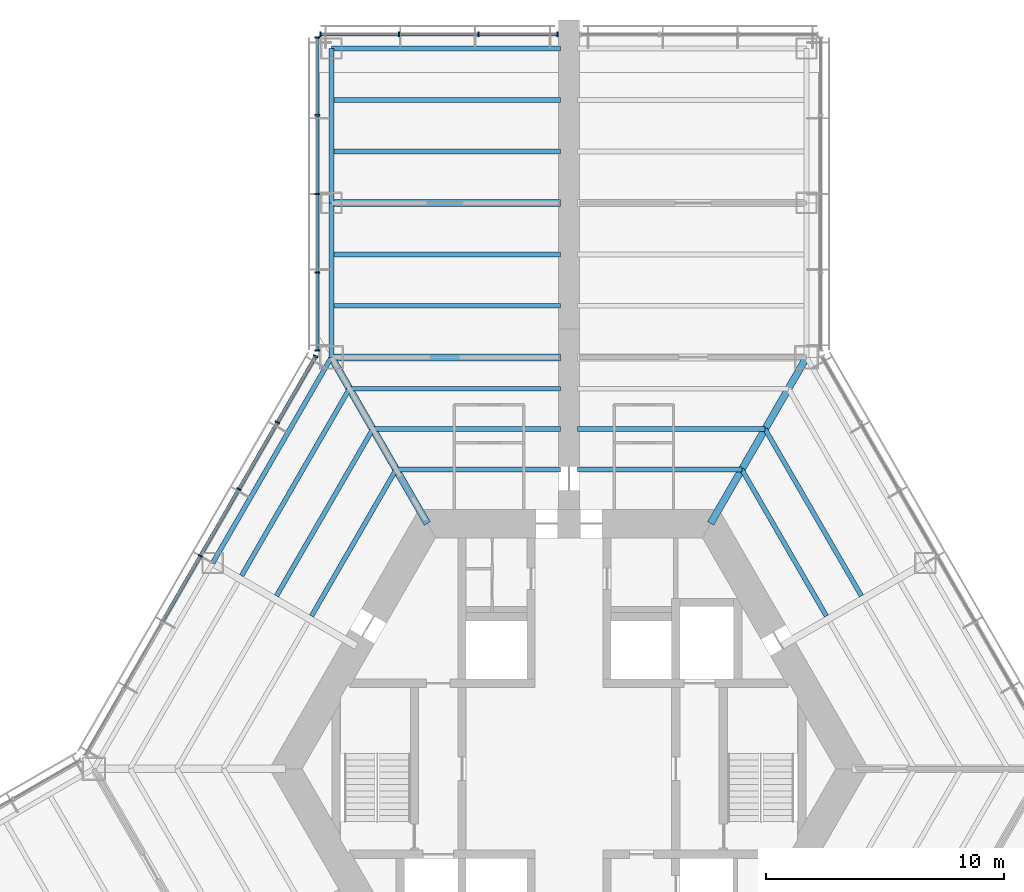
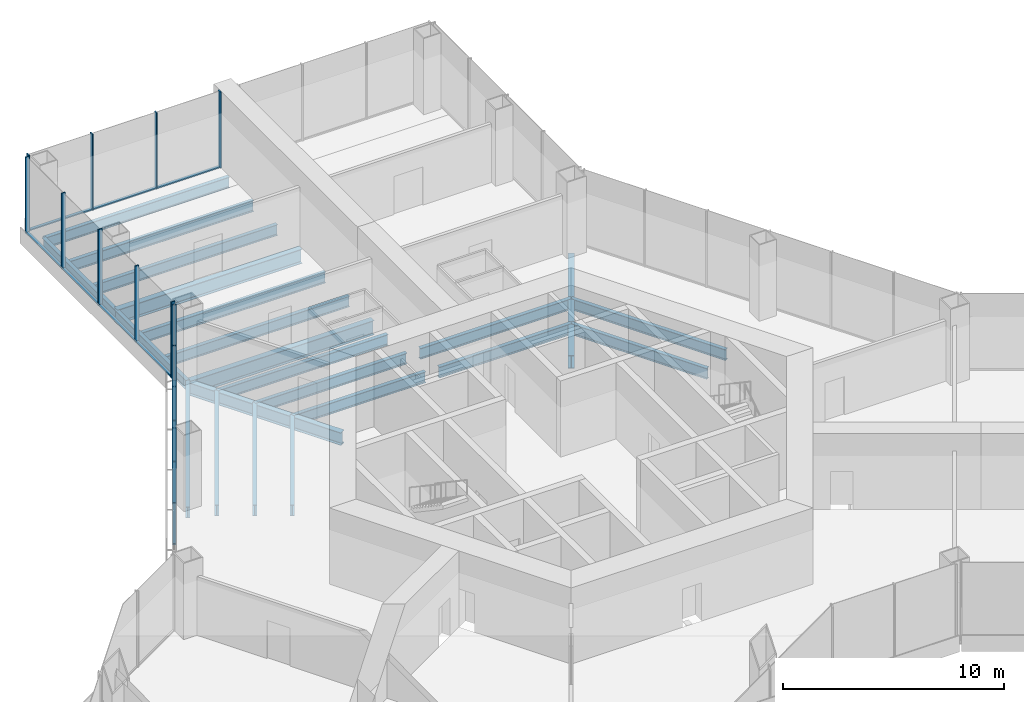
# One storey, part 6 of 15: 24 members, 22 beams, 3 elements without a shape of their own.
"""IFC4 building model written with IfcOpenShell, lengths in metres."""

from ifc_helpers import new_model, si_unit, direction, frame, origin, origin_2d, place, context, subcontext, project, spatial, rectangle, i_section, extrude, material, material_profile, profile_set, type_object, element, aggregate, save


model = new_model("IFC4")

# Units and contexts
model_context = context("Model", 3, precision=1e-05, world=origin(), true_north=direction((0.0, 1.0)))
body_context = subcontext(model_context, "Body", "Model", "MODEL_VIEW")
ifc_project = project(units=[si_unit("LENGTHUNIT", "METRE"), si_unit("AREAUNIT", "SQUARE_METRE"), si_unit("VOLUMEUNIT", "CUBIC_METRE"), si_unit("PLANEANGLEUNIT", "RADIAN"), si_unit("MASSUNIT", "GRAM", prefix="KILO")], contexts=[model_context])

# Site, building, storey
site_placement = place(None, origin())
site = spatial("IfcSite", under=ifc_project, at=site_placement, CompositionType="ELEMENT")
building_placement = place(site_placement, origin())
building = spatial("IfcBuilding", under=site, at=building_placement, Name="Kasaneha Research Tower", CompositionType="ELEMENT")
storey_placement = place(building_placement, frame((0.0, 0.0, 39.39990234375)))
storey = spatial("IfcBuildingStorey", under=building, at=storey_placement, Name="L10", CompositionType="ELEMENT", Elevation=39.39990234375)

# Beams
ifc_material_1 = material(Name="Steel SN490B", Category="steel")
ifc_material_profile_1 = material_profile(ifc_material_1, i_section(OverallWidth=0.199951171875, OverallDepth=0.60009765625, WebThickness=0.010986328125, FlangeThickness=0.01708984375, FilletRadius=0.012939453125, at=origin_2d()), Name="H-600x200x11x17")
ifc_profile_set_1 = profile_set([ifc_material_profile_1], Name="Steel SN490B")
beam_type_1 = type_object("IfcBeamType", Name="B1-2 secondary beam H-600x200x11x17", PredefinedType="JOIST", material=ifc_profile_set_1)
beam_1_placement = place(storey_placement, frame((7.274658203125, 12.60009765625, -0.469970703125), z_axis=(0.499990404686, -0.866030943571, 0.0), x_axis=(0.866030943571, 0.499990404686, 0.0)))
element("IfcBeam", 1, at=beam_1_placement, inside=storey, type_object=beam_type_1, Name="Secondary beam RS030R1 L10", PredefinedType="JOIST", context=body_context, shape_type="SweptSolid", body=[
    extrude(i_section(OverallWidth=0.199951171875, OverallDepth=0.60009765625, WebThickness=0.010986328125, FlangeThickness=0.01708984375, FilletRadius=0.012939453125, at=origin_2d()), origin(), (0.0, 0.0, 1.0), 7.124755859375),
])
beam_2_placement = place(storey_placement, frame((8.256103515625, 14.300048828125, -0.469970703125), z_axis=(0.499984030215, -0.866034623748, 0.0), x_axis=(0.866034623748, 0.499984030215, 0.0)))
element("IfcBeam", 2, at=beam_2_placement, inside=storey, type_object=beam_type_1, Name="Secondary beam RS030R2 L10", PredefinedType="JOIST", context=body_context, shape_type="SweptSolid", body=[
    extrude(i_section(OverallWidth=0.199951171875, OverallDepth=0.60009765625, WebThickness=0.010986328125, FlangeThickness=0.01708984375, FilletRadius=0.012939453125, at=origin_2d()), origin(), (0.0, 0.0, 1.0), 8.106201171875),
])
beam_3_placement = place(storey_placement, frame((7.274658203125, 12.60009765625, -0.469970703125), z_axis=(-1.0, 0.0, 0.0), x_axis=(0.0, -1.0, 0.0)))
element("IfcBeam", 3, at=beam_3_placement, inside=storey, type_object=beam_type_1, Name="Secondary beam RS090L1 L10", PredefinedType="JOIST", context=body_context, shape_type="SweptSolid", body=[
    extrude(i_section(OverallWidth=0.199951171875, OverallDepth=0.60009765625, WebThickness=0.010986328125, FlangeThickness=0.01708984375, FilletRadius=0.012939453125, at=origin_2d()), origin(), (0.0, 0.0, 1.0), 6.924560546875),
])
beam_4_placement = place(storey_placement, frame((8.256103515625, 14.300048828125, -0.469970703125), z_axis=(-1.0, 0.0, 0.0), x_axis=(0.0, -1.0, 0.0)))
element("IfcBeam", 4, at=beam_4_placement, inside=storey, type_object=beam_type_1, Name="Secondary beam RS090L2 L10", PredefinedType="JOIST", context=body_context, shape_type="SweptSolid", body=[
    extrude(i_section(OverallWidth=0.199951171875, OverallDepth=0.60009765625, WebThickness=0.010986328125, FlangeThickness=0.01708984375, FilletRadius=0.012939453125, at=origin_2d()), origin(), (0.0, 0.0, 1.0), 7.906005859375),
])
beam_5_placement = place(storey_placement, frame((-7.274658203125, 12.60009765625, -0.469970703125), z_axis=(1.0, 0.0, 0.0), x_axis=(0.0, 1.0, 0.0)))
element("IfcBeam", 5, at=beam_5_placement, inside=storey, type_object=beam_type_1, Name="Secondary beam RS090R1 L10", PredefinedType="JOIST", context=body_context, shape_type="SweptSolid", body=[
    extrude(i_section(OverallWidth=0.199951171875, OverallDepth=0.60009765625, WebThickness=0.010986328125, FlangeThickness=0.01708984375, FilletRadius=0.012939453125, at=origin_2d()), origin(), (0.0, 0.0, 1.0), 6.924560546875),
])
beam_6_placement = place(storey_placement, frame((-8.256103515625, 14.300048828125, -0.469970703125), z_axis=(1.0, 0.0, 0.0), x_axis=(0.0, 1.0, 0.0)))
element("IfcBeam", 6, at=beam_6_placement, inside=storey, type_object=beam_type_1, Name="Secondary beam RS090R2 L10", PredefinedType="JOIST", context=body_context, shape_type="SweptSolid", body=[
    extrude(i_section(OverallWidth=0.199951171875, OverallDepth=0.60009765625, WebThickness=0.010986328125, FlangeThickness=0.01708984375, FilletRadius=0.012939453125, at=origin_2d()), origin(), (0.0, 0.0, 1.0), 7.906005859375),
])
beam_7_placement = place(storey_placement, frame((-9.237548828125, 16.0, -0.469970703125), z_axis=(1.0, 0.0, 0.0), x_axis=(0.0, 1.0, 0.0)))
element("IfcBeam", 7, at=beam_7_placement, inside=storey, type_object=beam_type_1, Name="Secondary beam RS090R3 L10", PredefinedType="JOIST", context=body_context, shape_type="SweptSolid", body=[
    extrude(i_section(OverallWidth=0.199951171875, OverallDepth=0.60009765625, WebThickness=0.010986328125, FlangeThickness=0.01708984375, FilletRadius=0.012939453125, at=origin_2d()), origin(), (0.0, 0.0, 1.0), 8.887451171875),
])
beam_8_placement = place(storey_placement, frame((-7.274658203125, 12.60009765625, -0.469970703125), z_axis=(-0.499990404686, -0.866030943571, 0.0), x_axis=(0.866030943571, -0.499990404686, 0.0)))
element("IfcBeam", 8, at=beam_8_placement, inside=storey, type_object=beam_type_1, Name="Secondary beam RS150L1 L10", PredefinedType="JOIST", context=body_context, shape_type="SweptSolid", body=[
    extrude(i_section(OverallWidth=0.199951171875, OverallDepth=0.60009765625, WebThickness=0.010986328125, FlangeThickness=0.01708984375, FilletRadius=0.012939453125, at=origin_2d()), origin(), (0.0, 0.0, 1.0), 7.124755859375),
])
beam_9_placement = place(storey_placement, frame((-8.256103515625, 14.300048828125, -0.469970703125), z_axis=(-0.499984030215, -0.866034623748, 0.0), x_axis=(0.866034623748, -0.499984030215, 0.0)))
element("IfcBeam", 9, at=beam_9_placement, inside=storey, type_object=beam_type_1, Name="Secondary beam RS150L2 L10", PredefinedType="JOIST", context=body_context, shape_type="SweptSolid", body=[
    extrude(i_section(OverallWidth=0.199951171875, OverallDepth=0.60009765625, WebThickness=0.010986328125, FlangeThickness=0.01708984375, FilletRadius=0.012939453125, at=origin_2d()), origin(), (0.0, 0.0, 1.0), 8.106201171875),
])
beam_10_placement = place(storey_placement, frame((-9.237548828125, 16.0, -0.469970703125), z_axis=(-0.500010814234, -0.866019160093, 0.0), x_axis=(0.866019160093, -0.500010814234, 0.0)))
element("IfcBeam", 10, at=beam_10_placement, inside=storey, type_object=beam_type_1, Name="Secondary beam RS150L3 L10", PredefinedType="JOIST", context=body_context, shape_type="SweptSolid", body=[
    extrude(i_section(OverallWidth=0.199951171875, OverallDepth=0.60009765625, WebThickness=0.010986328125, FlangeThickness=0.01708984375, FilletRadius=0.012939453125, at=origin_2d()), origin(), (0.0, 0.0, 1.0), 9.087646484375),
])
ifc_material_2 = material(Name="Steel SN490B", Category="steel")
ifc_material_profile_2 = material_profile(ifc_material_2, i_section(OverallWidth=0.198974609375, OverallDepth=0.595947265625, WebThickness=0.010009765625, FlangeThickness=0.014892578125, FilletRadius=0.012939453125, at=origin_2d()), Name="H-596x199x10x15")
ifc_profile_set_2 = profile_set([ifc_material_profile_2], Name="Steel SN490B")
beam_type_2 = type_object("IfcBeamType", Name="B2-2 secondary beam H-596x199x10x15", PredefinedType="JOIST", material=ifc_profile_set_2)
for number, where, z_axis, x_axis, name in (
    (11, (-10.0, 19.487060546875, -0.468017578125), (1.0, 0.0, 0.0), (0.0, 1.0, 0.0), "Secondary beam WBAN1 L10"),
    (12, (-10.0, 21.65380859375, -0.468017578125), (1.0, 0.0, 0.0), (0.0, 1.0, 0.0), "Secondary beam WBAN2 L10"),
    (13, (-10.0, 25.987060546875, -0.468017578125), (1.0, 0.0, 0.0), (0.0, 1.0, 0.0), "Secondary beam WBAN3 L10"),
    (14, (-10.0, 28.15380859375, -0.468017578125), (1.0, 0.0, 0.0), (0.0, 1.0, 0.0), "Secondary beam WBAN4 L10"),
):
    element("IfcBeam", number, at=place(storey_placement, frame(where, z_axis=z_axis, x_axis=x_axis)), inside=storey, type_object=beam_type_2, Name=name, PredefinedType="JOIST", context=body_context, shape_type="SweptSolid", body=[
        extrude(i_section(OverallWidth=0.198974609375, OverallDepth=0.595947265625, WebThickness=0.010009765625, FlangeThickness=0.014892578125, FilletRadius=0.012939453125, at=origin_2d()), origin(), (0.0, 0.0, 1.0), 9.64990234375),
    ])

# Curtain wall, members
ifc_material_3 = material(Name="Glass and aluminium", Category="aluminium")
curtain_wall_type = type_object("IfcCurtainWallType", Name="Dry laboratory curtain wall", PredefinedType="USERDEFINED", material=ifc_material_3)
curtain_wall_1_placement = place(storey_placement, origin())
curtain_wall_1 = element("IfcCurtainWall", 15, at=curtain_wall_1_placement, inside=storey, type_object=curtain_wall_type, Name="CW-L2 L10 run 10a", ObjectType="UNITISED CURTAIN WALL", PredefinedType="USERDEFINED")
ifc_material_4 = material(Name="Aluminium 6063-T6", Category="aluminium")
ifc_material_profile_3 = material_profile(ifc_material_4, rectangle(XDim=0.06494140625, YDim=0.199951171875, at=origin_2d()), Name="CW-L2 mullion 65x200")
ifc_profile_set_3 = profile_set([ifc_material_profile_3], Name="Aluminium 6063-T6")
member_type_1 = type_object("IfcMemberType", Name="CW-L2 mullion", PredefinedType="MULLION", material=ifc_profile_set_3)
member_1_placement = place(storey_placement, frame((-0.482421875, 30.92041015625, 0.0), z_axis=(0.0, 0.0, 1.0), x_axis=(-1.0, 0.0, 0.0)))
member_1 = element("IfcMember", 16, at=member_1_placement, type_object=member_type_1, Name="CW-L2 mullion 1", PredefinedType="MULLION", context=body_context, shape_type="SweptSolid", body=[
    extrude(rectangle(XDim=0.06494140625, YDim=0.199951171875, at=origin_2d()), origin(), (0.0, 0.0, 1.0), 4.2001953125),
])
member_2_placement = place(storey_placement, frame((-3.800048828125, 30.92041015625, 0.0), z_axis=(0.0, 0.0, 1.0), x_axis=(-1.0, 0.0, 0.0)))
member_2 = element("IfcMember", 17, at=member_2_placement, type_object=member_type_1, Name="CW-L2 mullion 2", PredefinedType="MULLION", context=body_context, shape_type="SweptSolid", body=[
    extrude(rectangle(XDim=0.06494140625, YDim=0.199951171875, at=origin_2d()), origin(), (0.0, 0.0, 1.0), 4.2001953125),
])
member_3_placement = place(storey_placement, frame((-7.14990234375, 30.92041015625, 0.0), z_axis=(0.0, 0.0, 1.0), x_axis=(-1.0, 0.0, 0.0)))
member_3 = element("IfcMember", 18, at=member_3_placement, type_object=member_type_1, Name="CW-L2 mullion 3", PredefinedType="MULLION", context=body_context, shape_type="SweptSolid", body=[
    extrude(rectangle(XDim=0.06494140625, YDim=0.199951171875, at=origin_2d()), origin(), (0.0, 0.0, 1.0), 4.2001953125),
])
member_4_placement = place(storey_placement, frame((-10.467529296875, 30.92041015625, 0.0), z_axis=(0.0, 0.0, 1.0), x_axis=(-1.0, 0.0, 0.0)))
member_4 = element("IfcMember", 19, at=member_4_placement, type_object=member_type_1, Name="CW-L2 mullion 4", PredefinedType="MULLION", context=body_context, shape_type="SweptSolid", body=[
    extrude(rectangle(XDim=0.06494140625, YDim=0.199951171875, at=origin_2d()), origin(), (0.0, 0.0, 1.0), 4.2001953125),
])

curtain_wall_2_placement = place(storey_placement, origin())
curtain_wall_2 = element("IfcCurtainWall", 20, at=curtain_wall_2_placement, inside=storey, type_object=curtain_wall_type, Name="CW-L2 L10 run 11a", ObjectType="UNITISED CURTAIN WALL", PredefinedType="USERDEFINED")
member_5_placement = place(storey_placement, frame((-10.60009765625, 30.7880859375, 0.0), z_axis=(0.0, 0.0, 1.0), x_axis=(0.0, -1.0, 0.0)))
member_5 = element("IfcMember", 21, at=member_5_placement, type_object=member_type_1, Name="CW-L2 mullion 1", PredefinedType="MULLION", context=body_context, shape_type="SweptSolid", body=[
    extrude(rectangle(XDim=0.06494140625, YDim=0.199951171875, at=origin_2d()), origin(), (0.0, 0.0, 1.0), 4.2001953125),
])
member_6_placement = place(storey_placement, frame((-10.60009765625, 27.5107421875, 0.0), z_axis=(0.0, 0.0, 1.0), x_axis=(0.0, -1.0, 0.0)))
member_6 = element("IfcMember", 22, at=member_6_placement, type_object=member_type_1, Name="CW-L2 mullion 2", PredefinedType="MULLION", context=body_context, shape_type="SweptSolid", body=[
    extrude(rectangle(XDim=0.06494140625, YDim=0.199951171875, at=origin_2d()), origin(), (0.0, 0.0, 1.0), 4.2001953125),
])
member_7_placement = place(storey_placement, frame((-10.60009765625, 24.200927734375, 0.0), z_axis=(0.0, 0.0, 1.0), x_axis=(0.0, -1.0, 0.0)))
member_7 = element("IfcMember", 23, at=member_7_placement, type_object=member_type_1, Name="CW-L2 mullion 3", PredefinedType="MULLION", context=body_context, shape_type="SweptSolid", body=[
    extrude(rectangle(XDim=0.06494140625, YDim=0.199951171875, at=origin_2d()), origin(), (0.0, 0.0, 1.0), 4.2001953125),
])
member_8_placement = place(storey_placement, frame((-10.60009765625, 20.89111328125, 0.0), z_axis=(0.0, 0.0, 1.0), x_axis=(0.0, -1.0, 0.0)))
member_8 = element("IfcMember", 24, at=member_8_placement, type_object=member_type_1, Name="CW-L2 mullion 4", PredefinedType="MULLION", context=body_context, shape_type="SweptSolid", body=[
    extrude(rectangle(XDim=0.06494140625, YDim=0.199951171875, at=origin_2d()), origin(), (0.0, 0.0, 1.0), 4.2001953125),
])
member_9_placement = place(storey_placement, frame((-10.60009765625, 17.61376953125, 0.0), z_axis=(0.0, 0.0, 1.0), x_axis=(0.0, -1.0, 0.0)))
member_9 = element("IfcMember", 25, at=member_9_placement, type_object=member_type_1, Name="CW-L2 mullion 5", PredefinedType="MULLION", context=body_context, shape_type="SweptSolid", body=[
    extrude(rectangle(XDim=0.06494140625, YDim=0.199951171875, at=origin_2d()), origin(), (0.0, 0.0, 1.0), 4.2001953125),
])

curtain_wall_3_placement = place(storey_placement, origin())
curtain_wall_3 = element("IfcCurtainWall", 26, at=curtain_wall_3_placement, inside=storey, type_object=curtain_wall_type, Name="CW-L2 L10 run 12a", ObjectType="UNITISED CURTAIN WALL", PredefinedType="USERDEFINED")
member_10_placement = place(storey_placement, frame((-10.666259765625, 17.366455078125, 0.0), z_axis=(0.0, 0.0, 1.0), x_axis=(-0.49999996188, -0.866025425793, 0.0)))
member_10 = element("IfcMember", 27, at=member_10_placement, type_object=member_type_1, Name="CW-L2 mullion 1", PredefinedType="MULLION", context=body_context, shape_type="SweptSolid", body=[
    extrude(rectangle(XDim=0.06494140625, YDim=0.199951171875, at=origin_2d()), origin(), (0.0, 0.0, 1.0), 4.2001953125),
])
member_11_placement = place(storey_placement, frame((-12.273193359375, 14.583251953125, 0.0), z_axis=(0.0, 0.0, 1.0), x_axis=(-0.49999996188, -0.866025425793, 0.0)))
member_11 = element("IfcMember", 28, at=member_11_placement, type_object=member_type_1, Name="CW-L2 mullion 2", PredefinedType="MULLION", context=body_context, shape_type="SweptSolid", body=[
    extrude(rectangle(XDim=0.06494140625, YDim=0.199951171875, at=origin_2d()), origin(), (0.0, 0.0, 1.0), 4.2001953125),
])
member_12_placement = place(storey_placement, frame((-13.896484375, 11.771728515625, 0.0), z_axis=(0.0, 0.0, 1.0), x_axis=(-0.49999996188, -0.866025425793, 0.0)))
member_12 = element("IfcMember", 29, at=member_12_placement, type_object=member_type_1, Name="CW-L2 mullion 3", PredefinedType="MULLION", context=body_context, shape_type="SweptSolid", body=[
    extrude(rectangle(XDim=0.06494140625, YDim=0.199951171875, at=origin_2d()), origin(), (0.0, 0.0, 1.0), 4.2001953125),
])
member_13_placement = place(storey_placement, frame((-15.51953125, 8.960205078125, 0.0), z_axis=(0.0, 0.0, 1.0), x_axis=(-0.49999996188, -0.866025425793, 0.0)))
member_13 = element("IfcMember", 30, at=member_13_placement, type_object=member_type_1, Name="CW-L2 mullion 4", PredefinedType="MULLION", context=body_context, shape_type="SweptSolid", body=[
    extrude(rectangle(XDim=0.06494140625, YDim=0.199951171875, at=origin_2d()), origin(), (0.0, 0.0, 1.0), 4.2001953125),
])

# Member
ifc_material_5 = material(Name="Aluminium 6063-T6", Category="aluminium")
ifc_material_profile_4 = material_profile(ifc_material_5, rectangle(XDim=0.14990234375, YDim=0.06494140625, at=origin_2d()), Name="CW-L2 transom 150x65")
ifc_profile_set_4 = profile_set([ifc_material_profile_4], Name="Aluminium 6063-T6")
member_type_2 = type_object("IfcMemberType", Name="CW-L2 transom", PredefinedType="USERDEFINED", material=ifc_profile_set_4)
member_14_placement = place(storey_placement, frame((-0.514892578125, 30.92041015625, 0.03271484375), z_axis=(-1.0, 0.0, 0.0), x_axis=(0.0, -1.0, 0.0)))
member_14 = element("IfcMember", 31, at=member_14_placement, type_object=member_type_2, Name="CW-L2 transom 1", ObjectType="TRANSOM", PredefinedType="USERDEFINED", context=body_context, shape_type="SweptSolid", body=[
    extrude(rectangle(XDim=0.14990234375, YDim=0.06494140625, at=origin_2d()), origin(), (0.0, 0.0, 1.0), 3.252685546875),
])

member_15_placement = place(storey_placement, frame((-3.83251953125, 30.92041015625, 0.03271484375), z_axis=(-1.0, 0.0, 0.0), x_axis=(0.0, -1.0, 0.0)))
member_15 = element("IfcMember", 32, at=member_15_placement, type_object=member_type_2, Name="CW-L2 transom 2", ObjectType="TRANSOM", PredefinedType="USERDEFINED", context=body_context, shape_type="SweptSolid", body=[
    extrude(rectangle(XDim=0.14990234375, YDim=0.06494140625, at=origin_2d()), origin(), (0.0, 0.0, 1.0), 3.284912109375),
])

member_16_placement = place(storey_placement, frame((-7.1826171875, 30.92041015625, 0.03271484375), z_axis=(-1.0, 0.0, 0.0), x_axis=(0.0, -1.0, 0.0)))
member_16 = element("IfcMember", 33, at=member_16_placement, type_object=member_type_2, Name="CW-L2 transom 3", ObjectType="TRANSOM", PredefinedType="USERDEFINED", context=body_context, shape_type="SweptSolid", body=[
    extrude(rectangle(XDim=0.14990234375, YDim=0.06494140625, at=origin_2d()), origin(), (0.0, 0.0, 1.0), 3.25244140625),
])

aggregate(curtain_wall_1, [member_1, member_2, member_3, member_4, member_14, member_15, member_16])

member_17_placement = place(storey_placement, frame((-10.60009765625, 30.755615234375, 0.03271484375), z_axis=(0.0, -1.0, 0.0), x_axis=(1.0, 0.0, 0.0)))
member_17 = element("IfcMember", 34, at=member_17_placement, type_object=member_type_2, Name="CW-L2 transom 1", ObjectType="TRANSOM", PredefinedType="USERDEFINED", context=body_context, shape_type="SweptSolid", body=[
    extrude(rectangle(XDim=0.14990234375, YDim=0.06494140625, at=origin_2d()), origin(), (0.0, 0.0, 1.0), 3.21240234375),
])

member_18_placement = place(storey_placement, frame((-10.60009765625, 27.478271484375, 0.03271484375), z_axis=(0.0, -1.0, 0.0), x_axis=(1.0, 0.0, 0.0)))
member_18 = element("IfcMember", 35, at=member_18_placement, type_object=member_type_2, Name="CW-L2 transom 2", ObjectType="TRANSOM", PredefinedType="USERDEFINED", context=body_context, shape_type="SweptSolid", body=[
    extrude(rectangle(XDim=0.14990234375, YDim=0.06494140625, at=origin_2d()), origin(), (0.0, 0.0, 1.0), 3.244873046875),
])

member_19_placement = place(storey_placement, frame((-10.60009765625, 24.16845703125, 0.03271484375), z_axis=(0.0, -1.0, 0.0), x_axis=(1.0, 0.0, 0.0)))
member_19 = element("IfcMember", 36, at=member_19_placement, type_object=member_type_2, Name="CW-L2 transom 3", ObjectType="TRANSOM", PredefinedType="USERDEFINED", context=body_context, shape_type="SweptSolid", body=[
    extrude(rectangle(XDim=0.14990234375, YDim=0.06494140625, at=origin_2d()), origin(), (0.0, 0.0, 1.0), 3.244873046875),
])

member_20_placement = place(storey_placement, frame((-10.60009765625, 20.858642578125, 0.03271484375), z_axis=(0.0, -1.0, 0.0), x_axis=(1.0, 0.0, 0.0)))
member_20 = element("IfcMember", 37, at=member_20_placement, type_object=member_type_2, Name="CW-L2 transom 4", ObjectType="TRANSOM", PredefinedType="USERDEFINED", context=body_context, shape_type="SweptSolid", body=[
    extrude(rectangle(XDim=0.14990234375, YDim=0.06494140625, at=origin_2d()), origin(), (0.0, 0.0, 1.0), 3.21240234375),
])

aggregate(curtain_wall_2, [member_5, member_6, member_7, member_8, member_9, member_17, member_18, member_19, member_20])

member_21_placement = place(storey_placement, frame((-10.6826171875, 17.33837890625, 0.03271484375), z_axis=(-0.499941702305, -0.866059059358, 0.0), x_axis=(0.866059059358, -0.499941702305, 0.0)))
member_21 = element("IfcMember", 38, at=member_21_placement, type_object=member_type_2, Name="CW-L2 transom 1", ObjectType="TRANSOM", PredefinedType="USERDEFINED", context=body_context, shape_type="SweptSolid", body=[
    extrude(rectangle(XDim=0.14990234375, YDim=0.06494140625, at=origin_2d()), origin(), (0.0, 0.0, 1.0), 3.14892578125),
])

member_22_placement = place(storey_placement, frame((-12.28955078125, 14.55517578125, 0.03271484375), z_axis=(-0.499943876812, -0.866057804098, 0.0), x_axis=(0.866057804098, -0.499943876812, 0.0)))
member_22 = element("IfcMember", 39, at=member_22_placement, type_object=member_type_2, Name="CW-L2 transom 2", ObjectType="TRANSOM", PredefinedType="USERDEFINED", context=body_context, shape_type="SweptSolid", body=[
    extrude(rectangle(XDim=0.14990234375, YDim=0.06494140625, at=origin_2d()), origin(), (0.0, 0.0, 1.0), 3.181396484375),
])

member_23_placement = place(storey_placement, frame((-13.91259765625, 11.74365234375, 0.03271484375), z_axis=(-0.500001430823, -0.866024577697, 0.0), x_axis=(0.866024577697, -0.500001430823, 0.0)))
member_23 = element("IfcMember", 40, at=member_23_placement, type_object=member_type_2, Name="CW-L2 transom 3", ObjectType="TRANSOM", PredefinedType="USERDEFINED", context=body_context, shape_type="SweptSolid", body=[
    extrude(rectangle(XDim=0.14990234375, YDim=0.06494140625, at=origin_2d()), origin(), (0.0, 0.0, 1.0), 3.181640625),
])

member_24_placement = place(storey_placement, frame((-15.535888671875, 8.93212890625, 0.03271484375), z_axis=(-0.499977104415, -0.866038622153, 0.0), x_axis=(0.866038622153, -0.499977104415, 0.0)))
member_24 = element("IfcMember", 41, at=member_24_placement, type_object=member_type_2, Name="CW-L2 transom 4", ObjectType="TRANSOM", PredefinedType="USERDEFINED", context=body_context, shape_type="SweptSolid", body=[
    extrude(rectangle(XDim=0.14990234375, YDim=0.06494140625, at=origin_2d()), origin(), (0.0, 0.0, 1.0), 3.181396484375),
])

aggregate(curtain_wall_3, [member_10, member_11, member_12, member_13, member_21, member_22, member_23, member_24])

# Beams
ifc_material_6 = material(Name="Steel SN490B", Category="steel")
ifc_material_profile_5 = material_profile(ifc_material_6, i_section(OverallWidth=0.300048828125, OverallDepth=0.699951171875, WebThickness=0.012939453125, FlangeThickness=0.02392578125, FilletRadius=0.01806640625, at=origin_2d()), Name="H-700x300x13x24")
ifc_profile_set_5 = profile_set([ifc_material_profile_5], Name="Steel SN490B")
beam_type_3 = type_object("IfcBeamType", Name="G1-2 radial girder H-700x300x13x24", PredefinedType="BEAM", material=ifc_profile_set_5)
for number, where, z_axis, x_axis, name in (
    (42, (5.961181640625, 10.324951171875, -0.52001953125), (0.49999105496, 0.866030568144, 0.0), (-0.866030568144, 0.49999105496, 0.0), "Radial girder RV060 L10"),
    (43, (-5.961181640625, 10.324951171875, -0.52001953125), (-0.49999105496, 0.866030568144, 0.0), (-0.866030568144, -0.49999105496, 0.0), "Radial girder RV120 L10"),
):
    element("IfcBeam", number, at=place(storey_placement, frame(where, z_axis=z_axis, x_axis=x_axis)), inside=storey, type_object=beam_type_3, Name=name, PredefinedType="BEAM", context=body_context, shape_type="SweptSolid", body=[
        extrude(i_section(OverallWidth=0.300048828125, OverallDepth=0.699951171875, WebThickness=0.012939453125, FlangeThickness=0.02392578125, FilletRadius=0.01806640625, at=origin_2d()), origin(), (0.0, 0.0, 1.0), 8.077880859375),
    ])
ifc_material_7 = material(Name="Steel SN490B", Category="steel")
ifc_material_profile_6 = material_profile(ifc_material_7, i_section(OverallWidth=0.300048828125, OverallDepth=0.7919921875, WebThickness=0.013916015625, FlangeThickness=0.02197265625, FilletRadius=0.01806640625, at=origin_2d()), Name="H-792x300x14x22")
ifc_profile_set_6 = profile_set([ifc_material_profile_6], Name="Steel SN490B")
beam_type_4 = type_object("IfcBeamType", Name="G3-2 plate edge girder H-792x300x14x22", PredefinedType="BEAM", material=ifc_profile_set_6)
beam_11_placement = place(storey_placement, frame((-10.0, 17.320556640625, -0.56591796875), z_axis=(1.0, 0.0, 0.0), x_axis=(0.0, 1.0, 0.0)))
element("IfcBeam", 44, at=beam_11_placement, inside=storey, type_object=beam_type_4, Name="Plate edge girder PEAN L10", PredefinedType="BEAM", context=body_context, shape_type="SweptSolid", body=[
    extrude(i_section(OverallWidth=0.300048828125, OverallDepth=0.7919921875, WebThickness=0.013916015625, FlangeThickness=0.02197265625, FilletRadius=0.01806640625, at=origin_2d()), origin(), (0.0, 0.0, 1.0), 9.64990234375),
])
ifc_material_8 = material(Name="Steel SN490B", Category="steel")
ifc_material_profile_7 = material_profile(ifc_material_8, i_section(OverallWidth=0.300048828125, OverallDepth=0.800048828125, WebThickness=0.013916015625, FlangeThickness=0.02587890625, FilletRadius=0.01806640625, at=origin_2d()), Name="H-800x300x14x26")
ifc_profile_set_7 = profile_set([ifc_material_profile_7], Name="Steel SN490B")
beam_type_5 = type_object("IfcBeamType", Name="G4-2 wing girder H-800x300x14x26", PredefinedType="BEAM", material=ifc_profile_set_7)
beam_12_placement = place(storey_placement, frame((-10.0, 23.820556640625, -0.56982421875), z_axis=(1.0, 0.0, 0.0), x_axis=(0.0, 1.0, 0.0)))
element("IfcBeam", 45, at=beam_12_placement, inside=storey, type_object=beam_type_5, Name="Wing girder WGAN L10", PredefinedType="BEAM", context=body_context, shape_type="SweptSolid", body=[
    extrude(i_section(OverallWidth=0.300048828125, OverallDepth=0.800048828125, WebThickness=0.013916015625, FlangeThickness=0.02587890625, FilletRadius=0.01806640625, at=origin_2d()), origin(), (0.0, 0.0, 1.0), 9.64990234375),
])
ifc_material_9 = material(Name="Steel SN490B", Category="steel")
ifc_material_profile_8 = material_profile(ifc_material_9, i_section(OverallWidth=0.199951171875, OverallDepth=0.60009765625, WebThickness=0.010986328125, FlangeThickness=0.01708984375, FilletRadius=0.012939453125, at=origin_2d()), Name="H-600x200x11x17")
ifc_profile_set_8 = profile_set([ifc_material_profile_8], Name="Steel SN490B")
beam_type_6 = type_object("IfcBeamType", Name="SB1-2 spandrel beam H-600x200x11x17", PredefinedType="SPANDREL", material=ifc_profile_set_8)
beam_13_placement = place(storey_placement, frame((-10.0, 17.320556640625, -0.469970703125), z_axis=(-0.499993662806, -0.866029062534, 0.0), x_axis=(0.866029062534, -0.499993662806, 0.0)))
element("IfcBeam", 46, at=beam_13_placement, inside=storey, type_object=beam_type_6, Name="Spandrel beam SR150L L10", PredefinedType="SPANDREL", context=body_context, shape_type="SweptSolid", body=[
    extrude(i_section(OverallWidth=0.199951171875, OverallDepth=0.60009765625, WebThickness=0.010986328125, FlangeThickness=0.01708984375, FilletRadius=0.012939453125, at=origin_2d()), origin(), (0.0, 0.0, 1.0), 10.000244140625),
])
ifc_material_10 = material(Name="Steel SN490B", Category="steel")
ifc_material_profile_9 = material_profile(ifc_material_10, i_section(OverallWidth=0.199951171875, OverallDepth=0.5, WebThickness=0.010009765625, FlangeThickness=0.01611328125, FilletRadius=0.012939453125, at=origin_2d()), Name="H-500x200x10x16")
ifc_profile_set_9 = profile_set([ifc_material_profile_9], Name="Steel SN490B")
beam_type_7 = type_object("IfcBeamType", Name="SB2-2 spandrel beam H-500x200x10x16", PredefinedType="SPANDREL", material=ifc_profile_set_9)
for number, where, z_axis, x_axis, name in (
    (47, (-10.0, 17.320556640625, -0.419921875), (0.0, 1.0, 0.0), (-1.0, 0.0, 0.0), "Spandrel beam WSAN1 L10"),
    (48, (-10.0, 23.820556640625, -0.419921875), (0.0, 1.0, 0.0), (-1.0, 0.0, 0.0), "Spandrel beam WSAN2 L10"),
):
    element("IfcBeam", number, at=place(storey_placement, frame(where, z_axis=z_axis, x_axis=x_axis)), inside=storey, type_object=beam_type_7, Name=name, PredefinedType="SPANDREL", context=body_context, shape_type="SweptSolid", body=[
        extrude(i_section(OverallWidth=0.199951171875, OverallDepth=0.5, WebThickness=0.010009765625, FlangeThickness=0.01611328125, FilletRadius=0.012939453125, at=origin_2d()), origin(), (0.0, 0.0, 1.0), 6.5),
    ])
ifc_material_11 = material(Name="Steel SN490B", Category="steel")
ifc_material_profile_10 = material_profile(ifc_material_11, i_section(OverallWidth=0.199951171875, OverallDepth=0.60009765625, WebThickness=0.010986328125, FlangeThickness=0.01708984375, FilletRadius=0.012939453125, at=origin_2d()), Name="H-600x200x11x17")
ifc_profile_set_10 = profile_set([ifc_material_profile_10], Name="Steel SN490B")
beam_type_8 = type_object("IfcBeamType", Name="SB3-2 spandrel beam H-600x200x11x17", PredefinedType="SPANDREL", material=ifc_profile_set_10)
beam_14_placement = place(storey_placement, frame((-10.0, 30.320556640625, -0.469970703125), z_axis=(1.0, 0.0, 0.0), x_axis=(0.0, 1.0, 0.0)))
element("IfcBeam", 49, at=beam_14_placement, inside=storey, type_object=beam_type_8, Name="Spandrel beam WTAN L10", PredefinedType="SPANDREL", context=body_context, shape_type="SweptSolid", body=[
    extrude(i_section(OverallWidth=0.199951171875, OverallDepth=0.60009765625, WebThickness=0.010986328125, FlangeThickness=0.01708984375, FilletRadius=0.012939453125, at=origin_2d()), origin(), (0.0, 0.0, 1.0), 9.64990234375),
])

save(model, "model.ifc")
